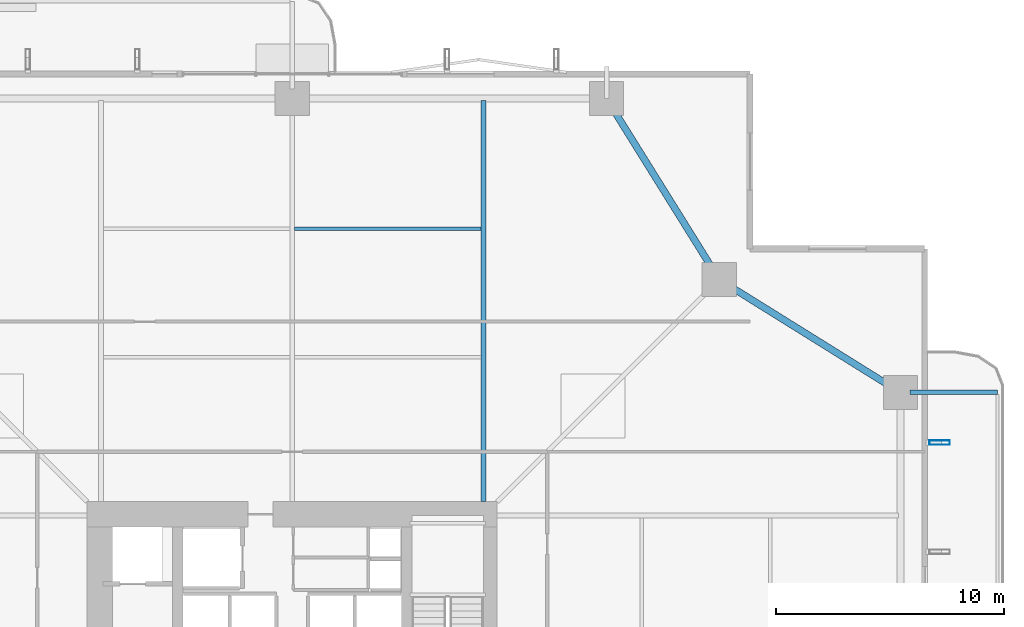
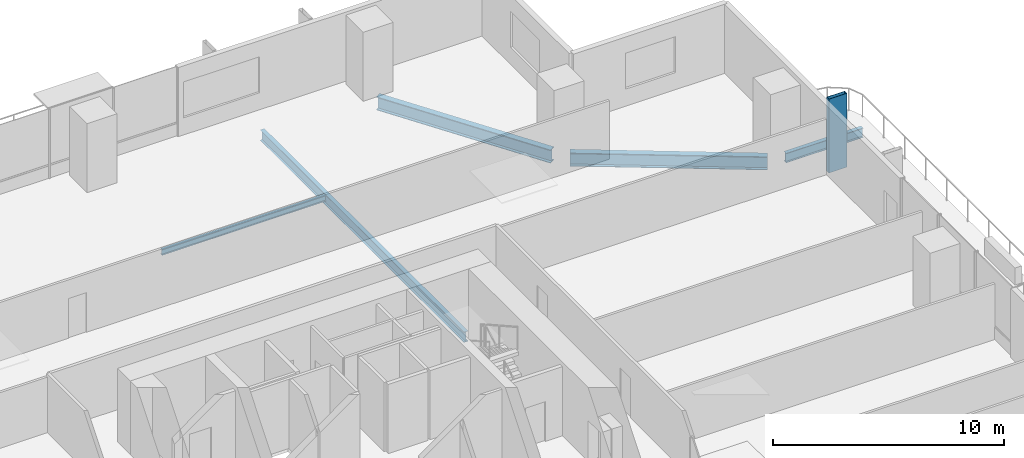
# One storey, part 14 of 24: 5 beams, 1 member.
"""IFC4 building model written with IfcOpenShell, lengths in metres."""

from ifc_helpers import new_model, si_unit, direction, frame, origin, origin_2d, place, context, subcontext, project, spatial, hollow_rectangle, i_section, extrude, material, material_profile, profile_set, type_object, element, save


model = new_model("IFC4")

# Units and contexts
model_context = context("Model", 3, precision=1e-05, world=origin(), true_north=direction((0.0, 1.0)))
body_context = subcontext(model_context, "Body", "Model", "MODEL_VIEW")
ifc_project = project(units=[si_unit("LENGTHUNIT", "METRE"), si_unit("AREAUNIT", "SQUARE_METRE"), si_unit("VOLUMEUNIT", "CUBIC_METRE"), si_unit("PLANEANGLEUNIT", "RADIAN"), si_unit("MASSUNIT", "GRAM", prefix="KILO")], contexts=[model_context])

# Site, building, storey
site_placement = place(None, origin())
site = spatial("IfcSite", under=ifc_project, at=site_placement, CompositionType="ELEMENT")
building_placement = place(site_placement, origin())
building = spatial("IfcBuilding", under=site, at=building_placement, Name="Belovzor Exchange Tower", CompositionType="ELEMENT")
storey_placement = place(building_placement, frame((0.0, 0.0, 92.39990234375)))
storey = spatial("IfcBuildingStorey", under=building, at=storey_placement, Name="L22", CompositionType="ELEMENT", Elevation=92.39990234375)

# Beams
ifc_material_1 = material(Name="Steel S355", Category="steel")
ifc_material_profile_1 = material_profile(ifc_material_1, i_section(OverallWidth=0.199951171875, OverallDepth=0.5, WebThickness=0.01025390625, FlangeThickness=0.01611328125, at=origin_2d()))
ifc_profile_set_1 = profile_set([ifc_material_profile_1], Name="Steel S355")
beam_type_1 = type_object("IfcBeamType", Name="Planted Balcony Cantilever Beam IPE 500", PredefinedType="BEAM", material=ifc_profile_set_1)
beam_1_placement = place(storey_placement, frame((55.9130859375, 42.60009765625, -0.5), z_axis=(1.0, 0.0, 0.0), x_axis=(0.0, 1.0, 0.0)))
element("IfcBeam", 1, at=beam_1_placement, inside=storey, type_object=beam_type_1, Name="BC-500 Planted Balcony Cantilever Beam IPE 500", PredefinedType="BEAM", context=body_context, shape_type="SweptSolid", body=[
    extrude(i_section(OverallWidth=0.199951171875, OverallDepth=0.5, WebThickness=0.01025390625, FlangeThickness=0.01611328125, at=origin_2d()), origin(), (0.0, 0.0, 1.0), 3.849853515625),
])
ifc_material_2 = material(Name="Steel S355", Category="steel")
ifc_material_profile_2 = material_profile(ifc_material_2, i_section(OverallWidth=0.14990234375, OverallDepth=0.300048828125, WebThickness=0.007080078125, FlangeThickness=0.0107421875, at=origin_2d()))
ifc_profile_set_2 = profile_set([ifc_material_profile_2], Name="Steel S355")
beam_type_2 = type_object("IfcBeamType", Name="Secondary Trim Floor Joist IPE 300", PredefinedType="BEAM", material=ifc_profile_set_2)
beam_2_placement = place(storey_placement, frame((28.905029296875, 49.784912109375, -0.39990234375), z_axis=(1.0, 0.0, 0.0), x_axis=(0.0, 1.0, 0.0)))
element("IfcBeam", 2, at=beam_2_placement, inside=storey, type_object=beam_type_2, Name="FJ-300 Secondary Trim Floor Joist IPE 300", PredefinedType="BEAM", context=body_context, shape_type="SweptSolid", body=[
    extrude(i_section(OverallWidth=0.14990234375, OverallDepth=0.300048828125, WebThickness=0.007080078125, FlangeThickness=0.0107421875, at=origin_2d()), origin(), (0.0, 0.0, 1.0), 8.18994140625),
])

# Member
ifc_material_3 = material(Name="Extruded Architectural Terracotta on Steel S355 Carrier", Category="masonry")
ifc_material_profile_3 = material_profile(ifc_material_3, hollow_rectangle(XDim=0.199951171875, YDim=0.89990234375, WallThickness=0.011962890625, at=origin_2d()))
ifc_profile_set_3 = profile_set([ifc_material_profile_3], Name="Extruded Architectural Terracotta on Steel S355 Carrier")
member_type = type_object("IfcMemberType", Name="Sweeping Terracotta Baguette Fin Assembly 1250", PredefinedType="USERDEFINED", material=ifc_profile_set_3)
member_placement = place(storey_placement, frame((57.22509765625, 40.39990234375, -0.25), z_axis=(0.0, 0.0, 1.0), x_axis=(0.0, 1.0, 0.0)))
element("IfcMember", 3, at=member_placement, inside=storey, type_object=member_type, Name="FIN-TC125 Terracotta Facade Fin L22 E4", ObjectType="FIN", PredefinedType="USERDEFINED", context=body_context, shape_type="SweptSolid", body=[
    extrude(hollow_rectangle(XDim=0.199951171875, YDim=0.89990234375, WallThickness=0.011962890625, at=origin_2d()), origin(), (0.0, 0.0, 1.0), 3.900146484375),
])

# Beams
ifc_material_4 = material(Name="Steel S355", Category="steel")
ifc_material_profile_4 = material_profile(ifc_material_4, i_section(OverallWidth=0.300048828125, OverallDepth=0.699951171875, WebThickness=0.01708984375, FlangeThickness=0.031982421875, at=origin_2d()))
ifc_profile_set_4 = profile_set([ifc_material_profile_4], Name="Steel S355")
beam_type_3 = type_object("IfcBeamType", Name="Zone 1 Primary Perimeter Girder HEB 700", PredefinedType="BEAM", material=ifc_profile_set_4)
for number, where, z_axis, x_axis, name in (
    (4, (55.14990234375, 42.818115234375, -0.599853515625), (-0.848909251292, 0.528538629686, 0.0), (-0.528538629686, -0.848909251292, 0.0), "FG-Z1 Zone 1 Primary Perimeter Girder HEB 700"),
    (5, (47.33203125, 47.89990234375, -0.599853515625), (-0.528538629686, 0.848909251292, 0.0), (-0.848909251292, -0.528538629686, 0.0), "FG-Z1 Zone 1 Primary Perimeter Girder HEB 700"),
):
    element("IfcBeam", number, at=place(storey_placement, frame(where, z_axis=z_axis, x_axis=x_axis)), inside=storey, type_object=beam_type_3, Name=name, PredefinedType="BEAM", context=body_context, shape_type="SweptSolid", body=[
        extrude(i_section(OverallWidth=0.300048828125, OverallDepth=0.699951171875, WebThickness=0.01708984375, FlangeThickness=0.031982421875, at=origin_2d()), origin(), (0.0, 0.0, 1.0), 8.540283203125),
    ])
ifc_material_5 = material(Name="Steel S355", Category="steel")
ifc_material_profile_5 = material_profile(ifc_material_5, i_section(OverallWidth=0.2099609375, OverallDepth=0.550048828125, WebThickness=0.010986328125, FlangeThickness=0.01708984375, at=origin_2d()))
ifc_profile_set_5 = profile_set([ifc_material_profile_5], Name="Steel S355")
beam_type_4 = type_object("IfcBeamType", Name="Zone 1 Radial Composite Floor Beam IPE 550", PredefinedType="BEAM", material=ifc_profile_set_5)
beam_3_placement = place(storey_placement, frame((37.199951171875, 37.800048828125, -0.52490234375), z_axis=(0.0, 1.0, 0.0), x_axis=(-1.0, 0.0, 0.0)))
element("IfcBeam", 6, at=beam_3_placement, inside=storey, type_object=beam_type_4, Name="FB-550 Zone 1 Radial Composite Floor Beam IPE 550", PredefinedType="BEAM", context=body_context, shape_type="SweptSolid", body=[
    extrude(i_section(OverallWidth=0.2099609375, OverallDepth=0.550048828125, WebThickness=0.010986328125, FlangeThickness=0.01708984375, at=origin_2d()), origin(), (0.0, 0.0, 1.0), 17.625),
])

save(model, "model.ifc")
